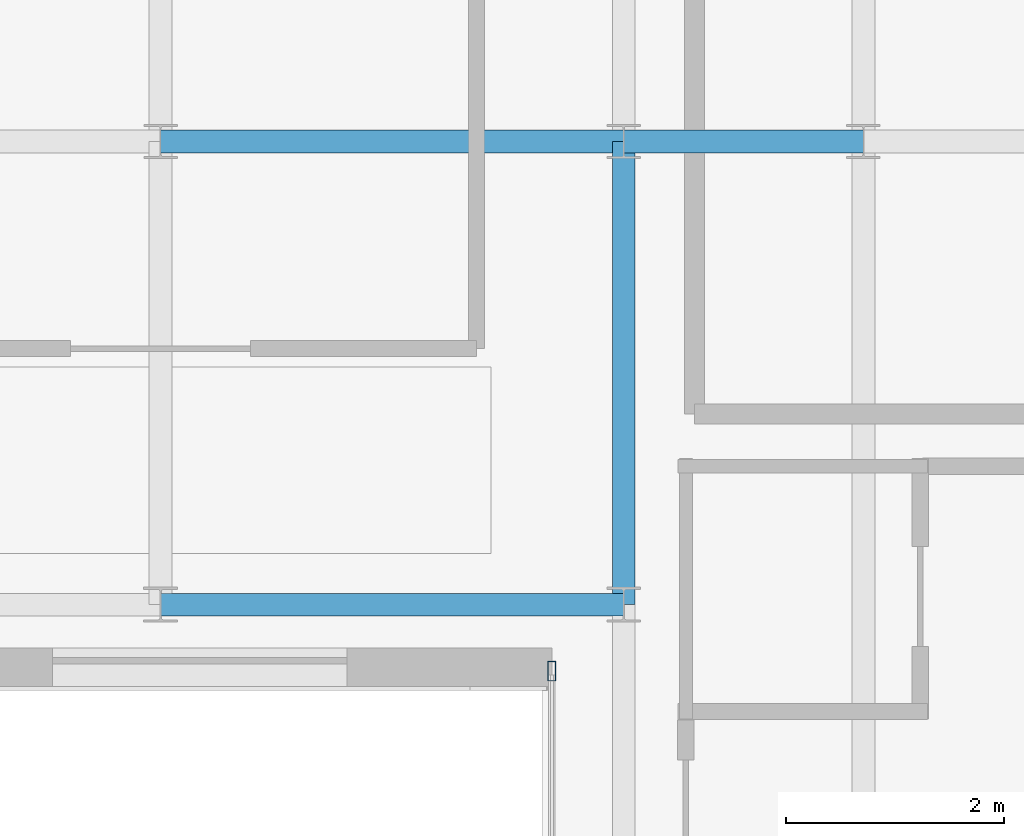
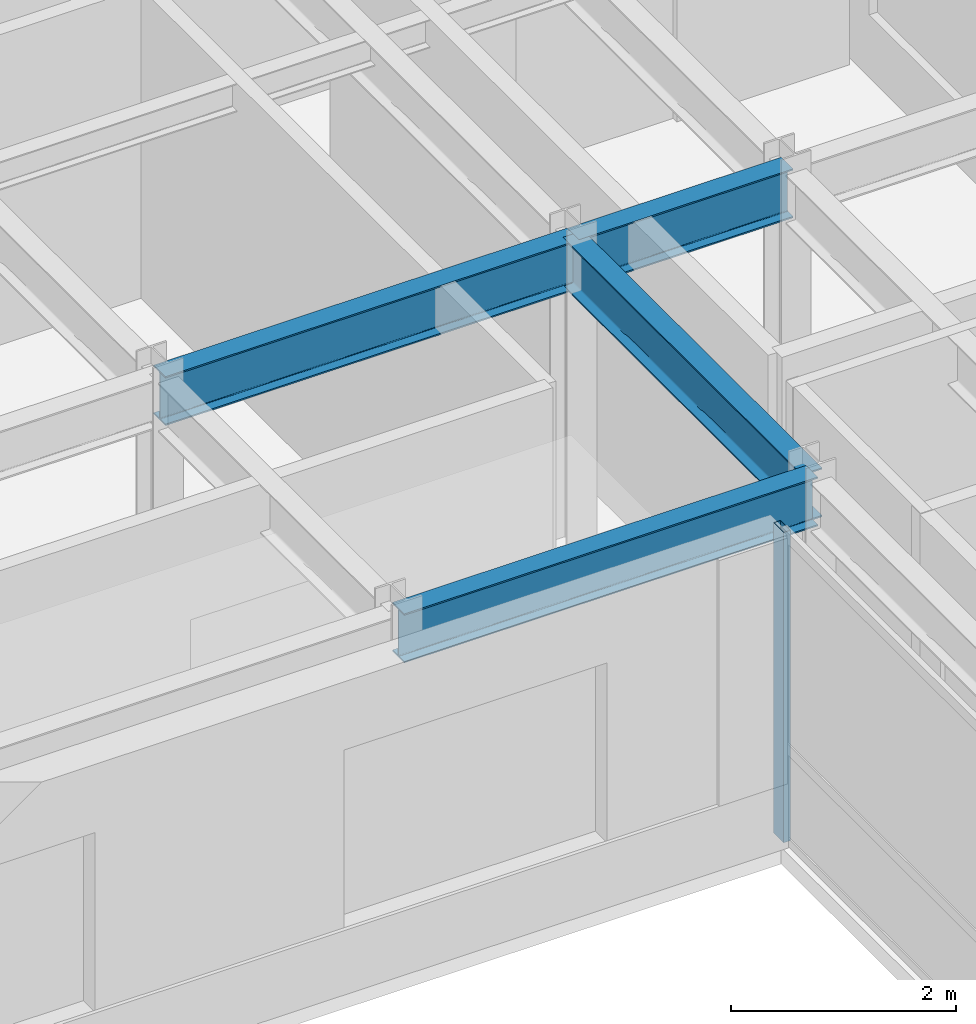
# One storey, part 11 of 21: 4 beams, 1 member, 1 element without a shape of its own.
"""IFC4 building model written with IfcOpenShell, lengths in metres."""

from ifc_helpers import new_model, si_unit, direction, frame, origin, origin_2d, place, context, subcontext, project, spatial, hollow_rectangle, i_section, extrude, source, transform, mapped, material, layer, layer_set, material_profile, profile_set, type_object, type_shapes, element, aggregate, save


model = new_model("IFC4")

# Units and contexts
model_context = context("Model", 3, precision=1e-05, world=origin(), true_north=direction((0.0, 1.0)))
body_context = subcontext(model_context, "Body", "Model", "MODEL_VIEW")
ifc_project = project(units=[si_unit("LENGTHUNIT", "METRE"), si_unit("AREAUNIT", "SQUARE_METRE"), si_unit("VOLUMEUNIT", "CUBIC_METRE"), si_unit("PLANEANGLEUNIT", "RADIAN"), si_unit("MASSUNIT", "GRAM", prefix="KILO")], contexts=[model_context])

# Site, building, storey
site_placement = place(None, origin())
site = spatial("IfcSite", under=ifc_project, at=site_placement, CompositionType="ELEMENT")
building_placement = place(site_placement, origin())
building = spatial("IfcBuilding", under=site, at=building_placement, Name="Tolvann Quenvar Hotel", CompositionType="ELEMENT")
storey_placement = place(building_placement, frame((0.0, 0.0, 255.85009765625)))
storey = spatial("IfcBuildingStorey", under=building, at=storey_placement, Name="L68", CompositionType="ELEMENT", Elevation=255.85009765625)

# Beams
ifc_material_1 = material(Name="Steel Grade 350", Category="steel")
ifc_material_profile_1 = material_profile(ifc_material_1, i_section(OverallWidth=0.208984375, OverallDepth=0.532958984375, WebThickness=0.01025390625, FlangeThickness=0.015625, FilletRadius=0.013916015625, at=origin_2d()), Name="530UB92")
ifc_profile_set_1 = profile_set([ifc_material_profile_1], Name="Steel Grade 350")
beam_type = type_object("IfcBeamType", Name="BM_GIRD_530UB92", PredefinedType="BEAM", material=ifc_profile_set_1)
shared_shape_1 = source(origin(), body_context, "Body", "SweptSolid", [
    extrude(i_section(OverallWidth=0.208984375, OverallDepth=0.532958984375, WebThickness=0.01025390625, FlangeThickness=0.015625, FilletRadius=0.013916015625, at=origin_2d()), origin(), (0.0, 0.0, 1.0), 2.199951171875),
])
beam_placement = place(storey_placement, frame((32.75, 24.39990234375, 3.103515625), z_axis=(1.0, 0.0, 0.0), x_axis=(0.0, 1.0, 0.0)))
element("IfcBeam", 1, at=beam_placement, inside=storey, type_object=beam_type, Name="BM-L68-EW-5-FP5-F5", PredefinedType="BEAM", context=body_context, shape_type="MappedRepresentation", body=[
    mapped(shared_shape_1, transform((0.0, 0.0, 0.0), x_axis=(1.0, 0.0, 0.0), y_axis=(0.0, 1.0, 0.0), z_axis=(0.0, 0.0, 1.0), scale=1.0)),
])
shared_shape_2 = source(origin(), body_context, "Body", "SweptSolid", [
    extrude(i_section(OverallWidth=0.208984375, OverallDepth=0.532958984375, WebThickness=0.01025390625, FlangeThickness=0.015625, FilletRadius=0.013916015625, at=origin_2d()), origin(), (0.0, 0.0, 1.0), 4.25),
])
type_shapes(beam_type, [shared_shape_1, shared_shape_2])
for number, where, z_axis, x_axis, name in (
    (2, (28.5, 20.14990234375, 3.103515625), (1.0, 0.0, 0.0), (0.0, 1.0, 0.0), "BM-L68-EW-4P-M4P-FP4P"),
    (3, (28.5, 24.39990234375, 3.103515625), (1.0, 0.0, 0.0), (0.0, 1.0, 0.0), "BM-L68-EW-5-M5-FP5"),
    (4, (32.75, 20.14990234375, 3.103515625), (0.0, 1.0, 0.0), (-1.0, 0.0, 0.0), "BM-L68-NS-FP4P-FP5"),
):
    element("IfcBeam", number, at=place(storey_placement, frame(where, z_axis=z_axis, x_axis=x_axis)), inside=storey, type_object=beam_type, Name=name, PredefinedType="BEAM", context=body_context, shape_type="MappedRepresentation", body=[
        mapped(shared_shape_2, transform((0.0, 0.0, 0.0), x_axis=(1.0, 0.0, 0.0), y_axis=(0.0, 1.0, 0.0), z_axis=(0.0, 0.0, 1.0), scale=1.0)),
    ])

# Curtain wall, member
ifc_material_2 = material(Name="Thermally broken anodised architectural aluminium 6063-T6 and laminated low-E glass", Category="aluminium")
ifc_layer = layer(ifc_material_2, 0.179931640625)
ifc_layer_set = layer_set([ifc_layer], Name="Thermally broken anodised architectural aluminium 6063-T6 and laminated low-E glass")
curtain_wall_type = type_object("IfcCurtainWallType", Name="CW_SYS_PORTAL_05", PredefinedType="USERDEFINED", material=ifc_layer_set)
curtain_wall_placement = place(storey_placement, origin())
curtain_wall = element("IfcCurtainWall", 5, at=curtain_wall_placement, inside=storey, type_object=curtain_wall_type, Name="Curtain Wall CW-PORTAL-05 (CWR-L68-E07)", ObjectType="UNITISED CURTAIN WALL", PredefinedType="USERDEFINED")
ifc_material_3 = material(Name="Anodised architectural aluminium 6063-T6 framing", Category="aluminium")
ifc_material_profile_2 = material_profile(ifc_material_3, hollow_rectangle(XDim=0.070068359375, YDim=0.179931640625, WallThickness=0.00390625, at=origin_2d()), Name="180x70x4RHS")
ifc_profile_set_2 = profile_set([ifc_material_profile_2], Name="Anodised architectural aluminium 6063-T6 framing")
member_type = type_object("IfcMemberType", Name="CW_MULL_180x70", PredefinedType="MULLION", material=ifc_profile_set_2)
shared_shape_3 = source(origin(), body_context, "Body", "SweptSolid", [
    extrude(hollow_rectangle(XDim=0.070068359375, YDim=0.179931640625, WallThickness=0.00390625, at=origin_2d()), origin(), (0.0, 0.0, 1.0), 3.369873046875),
])
type_shapes(member_type, [shared_shape_3])
member_placement = place(storey_placement, frame((32.090087890625, 19.5400390625, 0.0), z_axis=(0.0, 0.0, 1.0), x_axis=(1.0, 0.0, 0.0)))
member = element("IfcMember", 6, at=member_placement, type_object=member_type, Name="CW-PORTAL-05 mullion 1", PredefinedType="MULLION", context=body_context, shape_type="MappedRepresentation", body=[
    mapped(shared_shape_3, transform((0.0, 0.0, 0.0), x_axis=(1.0, 0.0, 0.0), y_axis=(0.0, 1.0, 0.0), z_axis=(0.0, 0.0, 1.0), scale=1.0)),
])
aggregate(curtain_wall, [member])

save(model, "model.ifc")
